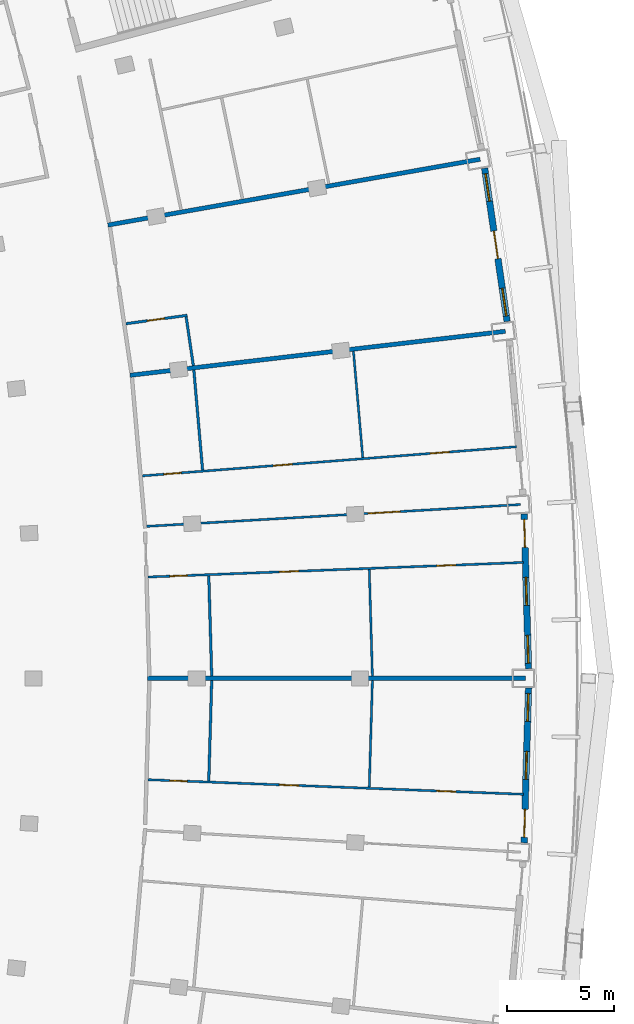
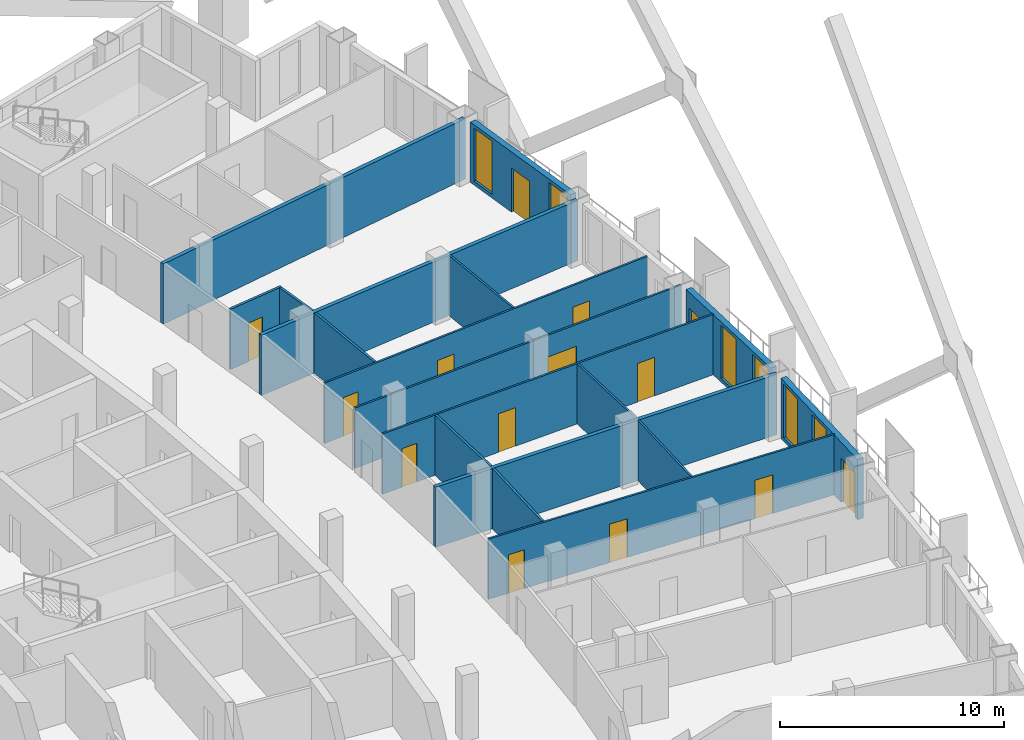
# One storey, part 14 of 20: 18 walls, 14 doors, 6 windows, 20 openings.
"""IFC4 building model written with IfcOpenShell, lengths in metres."""

from ifc_helpers import new_model, si_unit, direction, frame, frame_2d, origin, place, context, subcontext, project, spatial, rectangle, extrude, material, layer, layer_set, type_object, element, fill, save


model = new_model("IFC4")

# Units and contexts
model_context = context("Model", 3, precision=1e-05, world=origin(), true_north=direction((0.0, 1.0)))
body_context = subcontext(model_context, "Body", "Model", "MODEL_VIEW")
ifc_project = project(units=[si_unit("LENGTHUNIT", "METRE"), si_unit("AREAUNIT", "SQUARE_METRE"), si_unit("VOLUMEUNIT", "CUBIC_METRE"), si_unit("PLANEANGLEUNIT", "RADIAN"), si_unit("MASSUNIT", "GRAM", prefix="KILO")], contexts=[model_context])

# Site, building, storey
site_placement = place(None, origin())
site = spatial("IfcSite", under=ifc_project, at=site_placement, CompositionType="ELEMENT")
building_placement = place(site_placement, origin())
building = spatial("IfcBuilding", under=site, at=building_placement, Name="Alderwake Tower", CompositionType="ELEMENT")
storey_placement = place(building_placement, frame((0.0, 0.0, 189.199951171875)))
storey = spatial("IfcBuildingStorey", under=building, at=storey_placement, Name="L46", CompositionType="ELEMENT", Elevation=189.199951171875)

# Wall, openings, door, windows
ifc_material_1 = material(Name="Precast concrete C50/60 spandrel panel", Category="concrete")
ifc_layer_1 = layer(ifc_material_1, 0.300048828125)
ifc_layer_set_1 = layer_set([ifc_layer_1], Name="External wall EW1 Precast concrete C50/60 spandrel")
wall_type_1 = type_object("IfcWallType", Name="External wall EW1 Precast concrete C50/60 spandrel", PredefinedType="SOLIDWALL", material=ifc_layer_set_1)
wall_1_placement = place(storey_placement, frame((58.626708984375, 53.352294921875, 0.0), z_axis=(0.0, 0.0, 1.0), x_axis=(0.0291809358, 0.999574145817, 0.0)))
wall_1 = element("IfcWall", 1, at=wall_1_placement, inside=storey, type_object=wall_type_1, Name="External wall 15", PredefinedType="SOLIDWALL", context=body_context, shape_type="SweptSolid", body=[
    extrude(rectangle(XDim=7.20361328125, YDim=0.300048828125, at=frame_2d((3.601806640625, 0.0))), origin(), (0.0, 0.0, 1.0), 3.280029296875),
])
opening_1_placement = place(wall_1_placement, frame((0.257080078125, 0.0, 0.0)))
opening_1 = element("IfcOpeningElement", 2, at=opening_1_placement, cuts=wall_1, Name="Opening D04", PredefinedType="OPENING", context=body_context, shape_type="SweptSolid", body=[
    extrude(rectangle(XDim=1.300048828125, YDim=2.39990234375, at=frame_2d((0.64990234375, 1.199951171875))), frame((0.0, 0.159912109375, 0.0), z_axis=(0.0, -1.0, 0.0), x_axis=(1.0, 0.0, 0.0)), (0.0, 0.0, 1.0), 0.320068359375),
])
opening_2_placement = place(wall_1_placement, frame((2.951904296875, 0.0, 0.199951171875)))
opening_2 = element("IfcOpeningElement", 3, at=opening_2_placement, cuts=wall_1, Name="Opening W1", PredefinedType="OPENING", context=body_context, shape_type="SweptSolid", body=[
    extrude(rectangle(XDim=1.300048828125, YDim=2.89990234375, at=frame_2d((0.64990234375, 1.449951171875))), frame((0.0, 0.159912109375, 0.0), z_axis=(0.0, -1.0, 0.0), x_axis=(1.0, 0.0, 0.0)), (0.0, 0.0, 1.0), 0.320068359375),
])
opening_3_placement = place(wall_1_placement, frame((5.646484375, 0.0, 0.199951171875)))
opening_3 = element("IfcOpeningElement", 4, at=opening_3_placement, cuts=wall_1, Name="Opening W1", PredefinedType="OPENING", context=body_context, shape_type="SweptSolid", body=[
    extrude(rectangle(XDim=1.300048828125, YDim=2.89990234375, at=frame_2d((0.64990234375, 1.449951171875))), frame((0.0, 0.159912109375, 0.0), z_axis=(0.0, -1.0, 0.0), x_axis=(1.0, 0.0, 0.0)), (0.0, 0.0, 1.0), 0.320068359375),
])
ifc_material_2 = material(Name="Bronze tinted glass in aluminium frame", Category="aluminium")
door_type_1 = type_object("IfcDoorType", Name="Balcony door BD sliding", OperationType="SLIDING_TO_LEFT", PredefinedType="DOOR", material=ifc_material_2)
door_1_placement = place(opening_1_placement, origin())
door_1 = element("IfcDoor", 5, at=door_1_placement, inside=storey, type_object=door_type_1, Name="Door D04", OperationType="SLIDING_TO_LEFT", OverallHeight=2.39990234375, OverallWidth=1.300048828125, PredefinedType="DOOR", context=body_context, shape_type="SweptSolid", body=[
    extrude(rectangle(XDim=1.300048828125, YDim=2.39990234375, at=frame_2d((0.64990234375, 1.199951171875))), frame((0.0, 0.02490234375, 0.0), z_axis=(0.0, -1.0, 0.0), x_axis=(1.0, 0.0, 0.0)), (0.0, 0.0, 1.0), 0.050048828125),
])
fill(opening_1, door_1)
ifc_material_3 = material(Name="Bronze tinted glass in aluminium frame", Category="aluminium")
window_type = type_object("IfcWindowType", Name="Window W1 tall fixed and vent", PartitioningType="DOUBLE_PANEL_VERTICAL", PredefinedType="WINDOW", material=ifc_material_3)
window_1_placement = place(opening_2_placement, origin())
window_1 = element("IfcWindow", 6, at=window_1_placement, inside=storey, type_object=window_type, Name="Window W1 tall fixed and vent", OverallHeight=2.89990234375, OverallWidth=1.300048828125, PartitioningType="DOUBLE_PANEL_VERTICAL", PredefinedType="WINDOW", context=body_context, shape_type="SweptSolid", body=[
    extrude(rectangle(XDim=1.300048828125, YDim=2.89990234375, at=frame_2d((0.64990234375, 1.449951171875))), frame((0.0, 0.030029296875, 0.0), z_axis=(0.0, -1.0, 0.0), x_axis=(1.0, 0.0, 0.0)), (0.0, 0.0, 1.0), 0.06005859375),
])
fill(opening_2, window_1)
window_2_placement = place(opening_3_placement, origin())
window_2 = element("IfcWindow", 7, at=window_2_placement, inside=storey, type_object=window_type, Name="Window W1 tall fixed and vent", OverallHeight=2.89990234375, OverallWidth=1.300048828125, PartitioningType="DOUBLE_PANEL_VERTICAL", PredefinedType="WINDOW", context=body_context, shape_type="SweptSolid", body=[
    extrude(rectangle(XDim=1.300048828125, YDim=2.89990234375, at=frame_2d((0.64990234375, 1.449951171875))), frame((0.0, 0.030029296875, 0.0), z_axis=(0.0, -1.0, 0.0), x_axis=(1.0, 0.0, 0.0)), (0.0, 0.0, 1.0), 0.06005859375),
])
fill(opening_3, window_2)

wall_2_placement = place(storey_placement, frame((58.8369140625, 61.447265625, 0.0), z_axis=(0.0, 0.0, 1.0), x_axis=(-0.0291809358, 0.999574145817, 0.0)))
wall_2 = element("IfcWall", 8, at=wall_2_placement, inside=storey, type_object=wall_type_1, Name="External wall 16", PredefinedType="SOLIDWALL", context=body_context, shape_type="SweptSolid", body=[
    extrude(rectangle(XDim=7.20361328125, YDim=0.300048828125, at=frame_2d((3.601806640625, 0.0))), origin(), (0.0, 0.0, 1.0), 3.280029296875),
])
opening_4_placement = place(wall_2_placement, frame((0.257080078125, 0.0, 0.199951171875)))
opening_4 = element("IfcOpeningElement", 9, at=opening_4_placement, cuts=wall_2, Name="Opening W1", PredefinedType="OPENING", context=body_context, shape_type="SweptSolid", body=[
    extrude(rectangle(XDim=1.300048828125, YDim=2.89990234375, at=frame_2d((0.64990234375, 1.449951171875))), frame((0.0, 0.159912109375, 0.0), z_axis=(0.0, -1.0, 0.0), x_axis=(1.0, 0.0, 0.0)), (0.0, 0.0, 1.0), 0.320068359375),
])
opening_5_placement = place(wall_2_placement, frame((2.951904296875, 0.0, 0.199951171875)))
opening_5 = element("IfcOpeningElement", 10, at=opening_5_placement, cuts=wall_2, Name="Opening W1", PredefinedType="OPENING", context=body_context, shape_type="SweptSolid", body=[
    extrude(rectangle(XDim=1.300048828125, YDim=2.89990234375, at=frame_2d((0.64990234375, 1.449951171875))), frame((0.0, 0.159912109375, 0.0), z_axis=(0.0, -1.0, 0.0), x_axis=(1.0, 0.0, 0.0)), (0.0, 0.0, 1.0), 0.320068359375),
])
opening_6_placement = place(wall_2_placement, frame((5.646484375, 0.0, 0.0)))
opening_6 = element("IfcOpeningElement", 11, at=opening_6_placement, cuts=wall_2, Name="Opening D05", PredefinedType="OPENING", context=body_context, shape_type="SweptSolid", body=[
    extrude(rectangle(XDim=1.300048828125, YDim=2.39990234375, at=frame_2d((0.64990234375, 1.199951171875))), frame((0.0, 0.159912109375, 0.0), z_axis=(0.0, -1.0, 0.0), x_axis=(1.0, 0.0, 0.0)), (0.0, 0.0, 1.0), 0.320068359375),
])
door_2_placement = place(opening_6_placement, origin())
door_2 = element("IfcDoor", 12, at=door_2_placement, inside=storey, type_object=door_type_1, Name="Door D05", OperationType="SLIDING_TO_LEFT", OverallHeight=2.39990234375, OverallWidth=1.300048828125, PredefinedType="DOOR", context=body_context, shape_type="SweptSolid", body=[
    extrude(rectangle(XDim=1.300048828125, YDim=2.39990234375, at=frame_2d((0.64990234375, 1.199951171875))), frame((0.0, 0.02490234375, 0.0), z_axis=(0.0, -1.0, 0.0), x_axis=(1.0, 0.0, 0.0)), (0.0, 0.0, 1.0), 0.050048828125),
])
fill(opening_6, door_2)
window_3_placement = place(opening_4_placement, origin())
window_3 = element("IfcWindow", 13, at=window_3_placement, inside=storey, type_object=window_type, Name="Window W1 tall fixed and vent", OverallHeight=2.89990234375, OverallWidth=1.300048828125, PartitioningType="DOUBLE_PANEL_VERTICAL", PredefinedType="WINDOW", context=body_context, shape_type="SweptSolid", body=[
    extrude(rectangle(XDim=1.300048828125, YDim=2.89990234375, at=frame_2d((0.64990234375, 1.449951171875))), frame((0.0, 0.030029296875, 0.0), z_axis=(0.0, -1.0, 0.0), x_axis=(1.0, 0.0, 0.0)), (0.0, 0.0, 1.0), 0.06005859375),
])
fill(opening_4, window_3)
window_4_placement = place(opening_5_placement, origin())
window_4 = element("IfcWindow", 14, at=window_4_placement, inside=storey, type_object=window_type, Name="Window W1 tall fixed and vent", OverallHeight=2.89990234375, OverallWidth=1.300048828125, PartitioningType="DOUBLE_PANEL_VERTICAL", PredefinedType="WINDOW", context=body_context, shape_type="SweptSolid", body=[
    extrude(rectangle(XDim=1.300048828125, YDim=2.89990234375, at=frame_2d((0.64990234375, 1.449951171875))), frame((0.0, 0.030029296875, 0.0), z_axis=(0.0, -1.0, 0.0), x_axis=(1.0, 0.0, 0.0)), (0.0, 0.0, 1.0), 0.06005859375),
])
fill(opening_5, window_4)

wall_3_placement = place(storey_placement, frame((57.841064453125, 77.60498046875, 0.0), z_axis=(0.0, 0.0, 1.0), x_axis=(-0.145320319938, 0.98938465958, 0.0)))
wall_3 = element("IfcWall", 15, at=wall_3_placement, inside=storey, type_object=wall_type_1, Name="External wall 18", PredefinedType="SOLIDWALL", context=body_context, shape_type="SweptSolid", body=[
    extrude(rectangle(XDim=7.203857421875, YDim=0.300048828125, at=frame_2d((3.60205078125, 0.0))), origin(), (0.0, 0.0, 1.0), 3.280029296875),
])
opening_7_placement = place(wall_3_placement, frame((0.257080078125, 0.0, 0.199951171875)))
opening_7 = element("IfcOpeningElement", 16, at=opening_7_placement, cuts=wall_3, Name="Opening W1", PredefinedType="OPENING", context=body_context, shape_type="SweptSolid", body=[
    extrude(rectangle(XDim=1.300048828125, YDim=2.89990234375, at=frame_2d((0.64990234375, 1.449951171875))), frame((0.0, 0.159912109375, 0.0), z_axis=(0.0, -1.0, 0.0), x_axis=(1.0, 0.0, 0.0)), (0.0, 0.0, 1.0), 0.320068359375),
])
opening_8_placement = place(wall_3_placement, frame((2.951904296875, 0.0, 0.0)))
opening_8 = element("IfcOpeningElement", 17, at=opening_8_placement, cuts=wall_3, Name="Opening D07", PredefinedType="OPENING", context=body_context, shape_type="SweptSolid", body=[
    extrude(rectangle(XDim=1.300048828125, YDim=2.39990234375, at=frame_2d((0.64990234375, 1.199951171875))), frame((0.0, 0.159912109375, 0.0), z_axis=(0.0, -1.0, 0.0), x_axis=(1.0, 0.0, 0.0)), (0.0, 0.0, 1.0), 0.320068359375),
])
opening_9_placement = place(wall_3_placement, frame((5.646484375, 0.0, 0.199951171875)))
opening_9 = element("IfcOpeningElement", 18, at=opening_9_placement, cuts=wall_3, Name="Opening W1", PredefinedType="OPENING", context=body_context, shape_type="SweptSolid", body=[
    extrude(rectangle(XDim=1.300048828125, YDim=2.89990234375, at=frame_2d((0.64990234375, 1.449951171875))), frame((0.0, 0.159912109375, 0.0), z_axis=(0.0, -1.0, 0.0), x_axis=(1.0, 0.0, 0.0)), (0.0, 0.0, 1.0), 0.320068359375),
])
door_3_placement = place(opening_8_placement, origin())
door_3 = element("IfcDoor", 19, at=door_3_placement, inside=storey, type_object=door_type_1, Name="Door D07", OperationType="SLIDING_TO_LEFT", OverallHeight=2.39990234375, OverallWidth=1.300048828125, PredefinedType="DOOR", context=body_context, shape_type="SweptSolid", body=[
    extrude(rectangle(XDim=1.300048828125, YDim=2.39990234375, at=frame_2d((0.64990234375, 1.199951171875))), frame((0.0, 0.02490234375, 0.0), z_axis=(0.0, -1.0, 0.0), x_axis=(1.0, 0.0, 0.0)), (0.0, 0.0, 1.0), 0.050048828125),
])
fill(opening_8, door_3)
window_5_placement = place(opening_7_placement, origin())
window_5 = element("IfcWindow", 20, at=window_5_placement, inside=storey, type_object=window_type, Name="Window W1 tall fixed and vent", OverallHeight=2.89990234375, OverallWidth=1.300048828125, PartitioningType="DOUBLE_PANEL_VERTICAL", PredefinedType="WINDOW", context=body_context, shape_type="SweptSolid", body=[
    extrude(rectangle(XDim=1.300048828125, YDim=2.89990234375, at=frame_2d((0.64990234375, 1.449951171875))), frame((0.0, 0.030029296875, 0.0), z_axis=(0.0, -1.0, 0.0), x_axis=(1.0, 0.0, 0.0)), (0.0, 0.0, 1.0), 0.06005859375),
])
fill(opening_7, window_5)
window_6_placement = place(opening_9_placement, origin())
window_6 = element("IfcWindow", 21, at=window_6_placement, inside=storey, type_object=window_type, Name="Window W1 tall fixed and vent", OverallHeight=2.89990234375, OverallWidth=1.300048828125, PartitioningType="DOUBLE_PANEL_VERTICAL", PredefinedType="WINDOW", context=body_context, shape_type="SweptSolid", body=[
    extrude(rectangle(XDim=1.300048828125, YDim=2.89990234375, at=frame_2d((0.64990234375, 1.449951171875))), frame((0.0, 0.030029296875, 0.0), z_axis=(0.0, -1.0, 0.0), x_axis=(1.0, 0.0, 0.0)), (0.0, 0.0, 1.0), 0.06005859375),
])
fill(opening_9, window_6)

# Walls
ifc_material_4 = material(Name="Dense block masonry wall", Category="masonry")
ifc_layer_2 = layer(ifc_material_4, 0.199951171875)
ifc_layer_set_2 = layer_set([ifc_layer_2], Name="Party wall 200")
wall_type_2 = type_object("IfcWallType", Name="Party wall 200", PredefinedType="SOLIDWALL", material=ifc_layer_set_2)
wall_4_placement = place(storey_placement, frame((56.5830078125, 85.14892578125, 0.0), z_axis=(0.0, 0.0, 1.0), x_axis=(-0.984721150285, -0.174138611979, 0.0)))
element("IfcWall", 22, at=wall_4_placement, inside=storey, type_object=wall_type_2, Name="WL/L46/W01", PredefinedType="SOLIDWALL", context=body_context, shape_type="SweptSolid", body=[
    extrude(rectangle(XDim=17.582275390625, YDim=0.199951171875, at=frame_2d((8.791015625, 0.0))), origin(), (0.0, 0.0, 1.0), 3.280029296875),
])
wall_5_placement = place(storey_placement, frame((57.756103515625, 77.14501953125, 0.0), z_axis=(0.0, 0.0, 1.0), x_axis=(-0.99320038144, -0.116417362568, 0.0)))
element("IfcWall", 23, at=wall_5_placement, inside=storey, type_object=wall_type_2, Name="WL/L46/W02", PredefinedType="SOLIDWALL", context=body_context, shape_type="SweptSolid", body=[
    extrude(rectangle(XDim=17.578125, YDim=0.199951171875, at=frame_2d((8.7890625, 0.0))), origin(), (0.0, 0.0, 1.0), 3.280029296875),
])
wall_6_placement = place(storey_placement, frame((58.700927734375, 60.9990234375, 0.0), z_axis=(0.0, 0.0, 1.0), x_axis=(-1.0, 0.0, 0.0)))
element("IfcWall", 24, at=wall_6_placement, inside=storey, type_object=wall_type_2, Name="WL/L46/W03", PredefinedType="SOLIDWALL", context=body_context, shape_type="SweptSolid", body=[
    extrude(rectangle(XDim=17.58203125, YDim=0.199951171875, at=frame_2d((8.791015625, 0.0))), origin(), (0.0, 0.0, 1.0), 3.280029296875),
])

# Wall, openings, doors
ifc_material_5 = material(Name="Gypsum board on metal studs")
ifc_layer_3 = layer(ifc_material_5, 0.10009765625)
ifc_layer_set_3 = layer_set([ifc_layer_3], Name="Unit partition 100")
wall_type_3 = type_object("IfcWallType", Name="Unit partition 100", PredefinedType="PARTITIONING", material=ifc_layer_set_3)
wall_7_placement = place(storey_placement, frame((40.867919921875, 70.419189453125, 0.0), z_axis=(0.0, 0.0, 1.0), x_axis=(0.996981921396, 0.077634067331, 0.0)))
wall_7 = element("IfcWall", 25, at=wall_7_placement, inside=storey, type_object=wall_type_3, Name="WL/L46/W45", PredefinedType="PARTITIONING", context=body_context, shape_type="SweptSolid", body=[
    extrude(rectangle(XDim=17.462890625, YDim=0.10009765625, at=frame_2d((8.7314453125, 0.0))), origin(), (0.0, 0.0, 1.0), 3.280029296875),
])
opening_10_placement = place(wall_7_placement, frame((6.105712890625, 0.0, 0.0)))
opening_10 = element("IfcOpeningElement", 26, at=opening_10_placement, cuts=wall_7, Name="Opening R13-U05.5", PredefinedType="OPENING", context=body_context, shape_type="SweptSolid", body=[
    extrude(rectangle(XDim=0.89990234375, YDim=2.10009765625, at=frame_2d((0.449951171875, 1.050048828125))), frame((0.0, 0.06005859375, 0.0), z_axis=(0.0, -1.0, 0.0), x_axis=(1.0, 0.0, 0.0)), (0.0, 0.0, 1.0), 0.1201171875),
])
opening_11_placement = place(wall_7_placement, frame((1.009521484375, 0.0, 0.0)))
opening_11 = element("IfcOpeningElement", 27, at=opening_11_placement, cuts=wall_7, Name="Opening R13-U05.6", PredefinedType="OPENING", context=body_context, shape_type="SweptSolid", body=[
    extrude(rectangle(XDim=0.800048828125, YDim=2.10009765625, at=frame_2d((0.39990234375, 1.050048828125))), frame((0.0, 0.06005859375, 0.0), z_axis=(0.0, -1.0, 0.0), x_axis=(1.0, 0.0, 0.0)), (0.0, 0.0, 1.0), 0.1201171875),
])
opening_12_placement = place(wall_7_placement, frame((13.427490234375, 0.0, 0.0)))
opening_12 = element("IfcOpeningElement", 28, at=opening_12_placement, cuts=wall_7, Name="Opening R13-U05.7", PredefinedType="OPENING", context=body_context, shape_type="SweptSolid", body=[
    extrude(rectangle(XDim=0.89990234375, YDim=2.10009765625, at=frame_2d((0.449951171875, 1.050048828125))), frame((0.0, 0.06005859375, 0.0), z_axis=(0.0, -1.0, 0.0), x_axis=(1.0, 0.0, 0.0)), (0.0, 0.0, 1.0), 0.1201171875),
])
ifc_material_6 = material(Name="Painted timber leaf", Category="wood")
door_type_2 = type_object("IfcDoorType", Name="Bathroom door 800", OperationType="SINGLE_SWING_LEFT", PredefinedType="DOOR", material=ifc_material_6)
door_4_placement = place(opening_11_placement, origin())
door_4 = element("IfcDoor", 29, at=door_4_placement, inside=storey, type_object=door_type_2, Name="DR/L46/U05.6", OperationType="SINGLE_SWING_LEFT", OverallHeight=2.10009765625, OverallWidth=0.800048828125, PredefinedType="DOOR", context=body_context, shape_type="SweptSolid", body=[
    extrude(rectangle(XDim=0.800048828125, YDim=2.10009765625, at=frame_2d((0.39990234375, 1.050048828125))), frame((0.0, 0.02490234375, 0.0), z_axis=(0.0, -1.0, 0.0), x_axis=(1.0, 0.0, 0.0)), (0.0, 0.0, 1.0), 0.050048828125),
])
fill(opening_11, door_4)
ifc_material_7 = material(Name="Painted timber leaf", Category="wood")
door_type_3 = type_object("IfcDoorType", Name="Room door 900", OperationType="SINGLE_SWING_LEFT", PredefinedType="DOOR", material=ifc_material_7)
door_5_placement = place(opening_10_placement, origin())
door_5 = element("IfcDoor", 30, at=door_5_placement, inside=storey, type_object=door_type_3, Name="DR/L46/U05.5", OperationType="SINGLE_SWING_LEFT", OverallHeight=2.10009765625, OverallWidth=0.89990234375, PredefinedType="DOOR", context=body_context, shape_type="SweptSolid", body=[
    extrude(rectangle(XDim=0.89990234375, YDim=2.10009765625, at=frame_2d((0.449951171875, 1.050048828125))), frame((0.0, 0.02490234375, 0.0), z_axis=(0.0, -1.0, 0.0), x_axis=(1.0, 0.0, 0.0)), (0.0, 0.0, 1.0), 0.050048828125),
])
fill(opening_10, door_5)
door_6_placement = place(opening_12_placement, origin())
door_6 = element("IfcDoor", 31, at=door_6_placement, inside=storey, type_object=door_type_3, Name="DR/L46/U05.7", OperationType="SINGLE_SWING_LEFT", OverallHeight=2.10009765625, OverallWidth=0.89990234375, PredefinedType="DOOR", context=body_context, shape_type="SweptSolid", body=[
    extrude(rectangle(XDim=0.89990234375, YDim=2.10009765625, at=frame_2d((0.449951171875, 1.050048828125))), frame((0.0, 0.02490234375, 0.0), z_axis=(0.0, -1.0, 0.0), x_axis=(1.0, 0.0, 0.0)), (0.0, 0.0, 1.0), 0.050048828125),
])
fill(opening_12, door_6)

wall_8_placement = place(storey_placement, frame((41.143798828125, 56.285888671875, 0.0), z_axis=(0.0, 0.0, 1.0), x_axis=(0.999246022294, -0.038825081205, 0.0)))
wall_8 = element("IfcWall", 32, at=wall_8_placement, inside=storey, type_object=wall_type_3, Name="WL/L46/W46", PredefinedType="PARTITIONING", context=body_context, shape_type="SweptSolid", body=[
    extrude(rectangle(XDim=17.46240234375, YDim=0.10009765625, at=frame_2d((8.731201171875, 0.0))), origin(), (0.0, 0.0, 1.0), 3.280029296875),
])
opening_13_placement = place(wall_8_placement, frame((6.104248046875, 0.0, 0.0)))
opening_13 = element("IfcOpeningElement", 33, at=opening_13_placement, cuts=wall_8, Name="Opening R13-U04.5", PredefinedType="OPENING", context=body_context, shape_type="SweptSolid", body=[
    extrude(rectangle(XDim=0.89990234375, YDim=2.10009765625, at=frame_2d((0.449951171875, 1.050048828125))), frame((0.0, 0.06005859375, 0.0), z_axis=(0.0, -1.0, 0.0), x_axis=(1.0, 0.0, 0.0)), (0.0, 0.0, 1.0), 0.1201171875),
])
opening_14_placement = place(wall_8_placement, frame((1.0087890625, 0.0, 0.0)))
opening_14 = element("IfcOpeningElement", 34, at=opening_14_placement, cuts=wall_8, Name="Opening R13-U04.6", PredefinedType="OPENING", context=body_context, shape_type="SweptSolid", body=[
    extrude(rectangle(XDim=0.800048828125, YDim=2.10009765625, at=frame_2d((0.39990234375, 1.050048828125))), frame((0.0, 0.06005859375, 0.0), z_axis=(0.0, -1.0, 0.0), x_axis=(1.0, 0.0, 0.0)), (0.0, 0.0, 1.0), 0.1201171875),
])
opening_15_placement = place(wall_8_placement, frame((13.426025390625, 0.0, 0.0)))
opening_15 = element("IfcOpeningElement", 35, at=opening_15_placement, cuts=wall_8, Name="Opening R13-U04.7", PredefinedType="OPENING", context=body_context, shape_type="SweptSolid", body=[
    extrude(rectangle(XDim=0.89990234375, YDim=2.10009765625, at=frame_2d((0.449951171875, 1.050048828125))), frame((0.0, 0.06005859375, 0.0), z_axis=(0.0, -1.0, 0.0), x_axis=(1.0, 0.0, 0.0)), (0.0, 0.0, 1.0), 0.1201171875),
])
door_7_placement = place(opening_14_placement, origin())
door_7 = element("IfcDoor", 36, at=door_7_placement, inside=storey, type_object=door_type_2, Name="DR/L46/U04.6", OperationType="SINGLE_SWING_LEFT", OverallHeight=2.10009765625, OverallWidth=0.800048828125, PredefinedType="DOOR", context=body_context, shape_type="SweptSolid", body=[
    extrude(rectangle(XDim=0.800048828125, YDim=2.10009765625, at=frame_2d((0.39990234375, 1.050048828125))), frame((0.0, 0.02490234375, 0.0), z_axis=(0.0, -1.0, 0.0), x_axis=(1.0, 0.0, 0.0)), (0.0, 0.0, 1.0), 0.050048828125),
])
fill(opening_14, door_7)
door_8_placement = place(opening_13_placement, origin())
door_8 = element("IfcDoor", 37, at=door_8_placement, inside=storey, type_object=door_type_3, Name="DR/L46/U04.5", OperationType="SINGLE_SWING_LEFT", OverallHeight=2.10009765625, OverallWidth=0.89990234375, PredefinedType="DOOR", context=body_context, shape_type="SweptSolid", body=[
    extrude(rectangle(XDim=0.89990234375, YDim=2.10009765625, at=frame_2d((0.449951171875, 1.050048828125))), frame((0.0, 0.02490234375, 0.0), z_axis=(0.0, -1.0, 0.0), x_axis=(1.0, 0.0, 0.0)), (0.0, 0.0, 1.0), 0.050048828125),
])
fill(opening_13, door_8)
door_9_placement = place(opening_15_placement, origin())
door_9 = element("IfcDoor", 38, at=door_9_placement, inside=storey, type_object=door_type_3, Name="DR/L46/U04.7", OperationType="SINGLE_SWING_LEFT", OverallHeight=2.10009765625, OverallWidth=0.89990234375, PredefinedType="DOOR", context=body_context, shape_type="SweptSolid", body=[
    extrude(rectangle(XDim=0.89990234375, YDim=2.10009765625, at=frame_2d((0.449951171875, 1.050048828125))), frame((0.0, 0.02490234375, 0.0), z_axis=(0.0, -1.0, 0.0), x_axis=(1.0, 0.0, 0.0)), (0.0, 0.0, 1.0), 0.050048828125),
])
fill(opening_15, door_9)

wall_9_placement = place(storey_placement, frame((58.593017578125, 66.39306640625, 0.0), z_axis=(0.0, 0.0, 1.0), x_axis=(-0.999246022294, -0.038825081205, 0.0)))
wall_9 = element("IfcWall", 39, at=wall_9_placement, inside=storey, type_object=wall_type_3, Name="WL/L46/W47", PredefinedType="PARTITIONING", context=body_context, shape_type="SweptSolid", body=[
    extrude(rectangle(XDim=17.46240234375, YDim=0.10009765625, at=frame_2d((8.731201171875, 0.0))), origin(), (0.0, 0.0, 1.0), 3.280029296875),
])
opening_16_placement = place(wall_9_placement, frame((10.4580078125, 0.0, 0.0)))
opening_16 = element("IfcOpeningElement", 40, at=opening_16_placement, cuts=wall_9, Name="Opening R13-U05.1", PredefinedType="OPENING", context=body_context, shape_type="SweptSolid", body=[
    extrude(rectangle(XDim=0.89990234375, YDim=2.10009765625, at=frame_2d((0.449951171875, 1.050048828125))), frame((0.0, 0.06005859375, 0.0), z_axis=(0.0, -1.0, 0.0), x_axis=(1.0, 0.0, 0.0)), (0.0, 0.0, 1.0), 0.1201171875),
])
opening_17_placement = place(wall_9_placement, frame((15.653564453125, 0.0, 0.0)))
opening_17 = element("IfcOpeningElement", 41, at=opening_17_placement, cuts=wall_9, Name="Opening R13-U05.3", PredefinedType="OPENING", context=body_context, shape_type="SweptSolid", body=[
    extrude(rectangle(XDim=0.800048828125, YDim=2.10009765625, at=frame_2d((0.39990234375, 1.050048828125))), frame((0.0, 0.06005859375, 0.0), z_axis=(0.0, -1.0, 0.0), x_axis=(1.0, 0.0, 0.0)), (0.0, 0.0, 1.0), 0.1201171875),
])
opening_18_placement = place(wall_9_placement, frame((3.13623046875, 0.0, 0.0)))
opening_18 = element("IfcOpeningElement", 42, at=opening_18_placement, cuts=wall_9, Name="Opening R13-U05.4", PredefinedType="OPENING", context=body_context, shape_type="SweptSolid", body=[
    extrude(rectangle(XDim=0.89990234375, YDim=2.10009765625, at=frame_2d((0.449951171875, 1.050048828125))), frame((0.0, 0.06005859375, 0.0), z_axis=(0.0, -1.0, 0.0), x_axis=(1.0, 0.0, 0.0)), (0.0, 0.0, 1.0), 0.1201171875),
])
door_10_placement = place(opening_17_placement, origin())
door_10 = element("IfcDoor", 43, at=door_10_placement, inside=storey, type_object=door_type_2, Name="DR/L46/U05.3", OperationType="SINGLE_SWING_LEFT", OverallHeight=2.10009765625, OverallWidth=0.800048828125, PredefinedType="DOOR", context=body_context, shape_type="SweptSolid", body=[
    extrude(rectangle(XDim=0.800048828125, YDim=2.10009765625, at=frame_2d((0.39990234375, 1.050048828125))), frame((0.0, 0.02490234375, 0.0), z_axis=(0.0, -1.0, 0.0), x_axis=(1.0, 0.0, 0.0)), (0.0, 0.0, 1.0), 0.050048828125),
])
fill(opening_17, door_10)
door_11_placement = place(opening_16_placement, origin())
door_11 = element("IfcDoor", 44, at=door_11_placement, inside=storey, type_object=door_type_3, Name="DR/L46/U05.1", OperationType="SINGLE_SWING_LEFT", OverallHeight=2.10009765625, OverallWidth=0.89990234375, PredefinedType="DOOR", context=body_context, shape_type="SweptSolid", body=[
    extrude(rectangle(XDim=0.89990234375, YDim=2.10009765625, at=frame_2d((0.449951171875, 1.050048828125))), frame((0.0, 0.02490234375, 0.0), z_axis=(0.0, -1.0, 0.0), x_axis=(1.0, 0.0, 0.0)), (0.0, 0.0, 1.0), 0.050048828125),
])
fill(opening_16, door_11)
door_12_placement = place(opening_18_placement, origin())
door_12 = element("IfcDoor", 45, at=door_12_placement, inside=storey, type_object=door_type_3, Name="DR/L46/U05.4", OperationType="SINGLE_SWING_LEFT", OverallHeight=2.10009765625, OverallWidth=0.89990234375, PredefinedType="DOOR", context=body_context, shape_type="SweptSolid", body=[
    extrude(rectangle(XDim=0.89990234375, YDim=2.10009765625, at=frame_2d((0.449951171875, 1.050048828125))), frame((0.0, 0.02490234375, 0.0), z_axis=(0.0, -1.0, 0.0), x_axis=(1.0, 0.0, 0.0)), (0.0, 0.0, 1.0), 0.050048828125),
])
fill(opening_18, door_12)

# Walls
wall_10_placement = place(storey_placement, frame((51.12451171875, 71.269775390625, 0.0), z_axis=(0.0, 0.0, 1.0), x_axis=(-0.087352937881, 0.996177426086, 0.0)))
element("IfcWall", 46, at=wall_10_placement, inside=storey, type_object=wall_type_3, Name="WL/L46/W52", PredefinedType="PARTITIONING", context=body_context, shape_type="SweptSolid", body=[
    extrude(rectangle(XDim=4.966552734375, YDim=0.10009765625, at=frame_2d((2.4833984375, 0.0))), origin(), (0.0, 0.0, 1.0), 3.280029296875),
])
wall_11_placement = place(storey_placement, frame((51.427490234375, 55.93701171875, 0.0), z_axis=(0.0, 0.0, 1.0), x_axis=(0.029312335146, 0.999570301184, 0.0)))
element("IfcWall", 47, at=wall_11_placement, inside=storey, type_object=wall_type_3, Name="WL/L46/W53", PredefinedType="PARTITIONING", context=body_context, shape_type="SweptSolid", body=[
    extrude(rectangle(XDim=4.964111328125, YDim=0.10009765625, at=frame_2d((2.48193359375, 0.0))), origin(), (0.0, 0.0, 1.0), 3.280029296875),
])
wall_12_placement = place(storey_placement, frame((51.572998046875, 61.09912109375, 0.0), z_axis=(0.0, 0.0, 1.0), x_axis=(-0.02929505318, 0.999570807827, 0.0)))
element("IfcWall", 48, at=wall_12_placement, inside=storey, type_object=wall_type_3, Name="WL/L46/W54", PredefinedType="PARTITIONING", context=body_context, shape_type="SweptSolid", body=[
    extrude(rectangle(XDim=4.967041015625, YDim=0.10009765625, at=frame_2d((2.4833984375, 0.0))), origin(), (0.0, 0.0, 1.0), 3.280029296875),
])

# Wall, opening, door
wall_13_placement = place(storey_placement, frame((41.074951171875, 68.07177734375, 0.0), z_axis=(0.0, 0.0, 1.0), x_axis=(0.998300373254, 0.058278338696, 0.0)))
wall_13 = element("IfcWall", 49, at=wall_13_placement, inside=storey, type_object=wall_type_3, Name="WL/L46/W56", PredefinedType="PARTITIONING", context=body_context, shape_type="SweptSolid", body=[
    extrude(rectangle(XDim=17.418701171875, YDim=0.10009765625, at=frame_2d((8.70947265625, 0.0))), origin(), (0.0, 0.0, 1.0), 3.280029296875),
])
opening_19_placement = place(wall_13_placement, frame((10.311279296875, 0.0, 0.0)))
opening_19 = element("IfcOpeningElement", 50, at=opening_19_placement, cuts=wall_13, Name="Opening R13-U05.8", PredefinedType="OPENING", context=body_context, shape_type="SweptSolid", body=[
    extrude(rectangle(XDim=1.5, YDim=2.10009765625, at=frame_2d((0.75, 1.050048828125))), frame((0.0, 0.06005859375, 0.0), z_axis=(0.0, -1.0, 0.0), x_axis=(1.0, 0.0, 0.0)), (0.0, 0.0, 1.0), 0.1201171875),
])
ifc_material_8 = material(Name="Painted timber leaves", Category="wood")
door_type_4 = type_object("IfcDoorType", Name="Double leaf door 1500", OperationType="DOUBLE_DOOR_SINGLE_SWING", PredefinedType="DOOR", material=ifc_material_8)
door_13_placement = place(opening_19_placement, origin())
door_13 = element("IfcDoor", 51, at=door_13_placement, inside=storey, type_object=door_type_4, Name="DR/L46/U05.8", OperationType="DOUBLE_DOOR_SINGLE_SWING", OverallHeight=2.10009765625, OverallWidth=1.5, PredefinedType="DOOR", context=body_context, shape_type="SweptSolid", body=[
    extrude(rectangle(XDim=1.5, YDim=2.10009765625, at=frame_2d((0.75, 1.050048828125))), frame((0.0, 0.02490234375, 0.0), z_axis=(0.0, -1.0, 0.0), x_axis=(1.0, 0.0, 0.0)), (0.0, 0.0, 1.0), 0.050048828125),
])
fill(opening_19, door_13)

ifc_material_9 = material(Name="Moisture resistant gypsum board on metal studs")
ifc_layer_4 = layer(ifc_material_9, 0.1201171875)
ifc_layer_set_4 = layer_set([ifc_layer_4], Name="Wet room partition 120")
wall_type_4 = type_object("IfcWallType", Name="Wet room partition 120", PredefinedType="PARTITIONING", material=ifc_layer_set_4)
wall_14_placement = place(storey_placement, frame((42.95947265625, 77.88818359375, 0.0), z_axis=(0.0, 0.0, 1.0), x_axis=(-0.99077593985, -0.135510283793, 0.0)))
wall_14 = element("IfcWall", 52, at=wall_14_placement, inside=storey, type_object=wall_type_4, Name="WL/L46/W36", PredefinedType="PARTITIONING", context=body_context, shape_type="SweptSolid", body=[
    extrude(rectangle(XDim=2.880859375, YDim=0.1201171875, at=frame_2d((1.4404296875, 0.0))), origin(), (0.0, 0.0, 1.0), 3.280029296875),
])
opening_20_placement = place(wall_14_placement, frame((1.071044921875, 0.0, 0.0)))
opening_20 = element("IfcOpeningElement", 53, at=opening_20_placement, cuts=wall_14, Name="Opening R13-U06.2", PredefinedType="OPENING", context=body_context, shape_type="SweptSolid", body=[
    extrude(rectangle(XDim=0.800048828125, YDim=2.10009765625, at=frame_2d((0.39990234375, 1.050048828125))), frame((0.0, 0.070068359375, 0.0), z_axis=(0.0, -1.0, 0.0), x_axis=(1.0, 0.0, 0.0)), (0.0, 0.0, 1.0), 0.14013671875),
])
door_14_placement = place(opening_20_placement, origin())
door_14 = element("IfcDoor", 54, at=door_14_placement, inside=storey, type_object=door_type_2, Name="DR/L46/U06.2", OperationType="SINGLE_SWING_LEFT", OverallHeight=2.10009765625, OverallWidth=0.800048828125, PredefinedType="DOOR", context=body_context, shape_type="SweptSolid", body=[
    extrude(rectangle(XDim=0.800048828125, YDim=2.10009765625, at=frame_2d((0.39990234375, 1.050048828125))), frame((0.0, 0.02490234375, 0.0), z_axis=(0.0, -1.0, 0.0), x_axis=(1.0, 0.0, 0.0)), (0.0, 0.0, 1.0), 0.050048828125),
])
fill(opening_20, door_14)

# Walls
wall_15_placement = place(storey_placement, frame((43.242431640625, 75.5458984375, 0.0), z_axis=(0.0, 0.0, 1.0), x_axis=(-0.145166859028, 0.989407187684, 0.0)))
element("IfcWall", 55, at=wall_15_placement, inside=storey, type_object=wall_type_4, Name="WL/L46/W38", PredefinedType="PARTITIONING", context=body_context, shape_type="SweptSolid", body=[
    extrude(rectangle(XDim=2.299072265625, YDim=0.1201171875, at=frame_2d((1.1494140625, 0.0))), origin(), (0.0, 0.0, 1.0), 3.280029296875),
])
wall_16_placement = place(storey_placement, frame((43.672607421875, 70.687744140625, 0.0), z_axis=(0.0, 0.0, 1.0), x_axis=(-0.087010256841, 0.996207415755, 0.0)))
element("IfcWall", 56, at=wall_16_placement, inside=storey, type_object=wall_type_4, Name="WL/L46/W39", PredefinedType="PARTITIONING", context=body_context, shape_type="SweptSolid", body=[
    extrude(rectangle(XDim=4.677490234375, YDim=0.1201171875, at=frame_2d((2.3388671875, 0.0))), origin(), (0.0, 0.0, 1.0), 3.280029296875),
])
wall_17_placement = place(storey_placement, frame((43.96044921875, 56.22802734375, 0.0), z_axis=(0.0, 0.0, 1.0), x_axis=(0.029257801765, 0.999571898883, 0.0)))
element("IfcWall", 57, at=wall_17_placement, inside=storey, type_object=wall_type_4, Name="WL/L46/W40", PredefinedType="PARTITIONING", context=body_context, shape_type="SweptSolid", body=[
    extrude(rectangle(XDim=4.6728515625, YDim=0.1201171875, at=frame_2d((2.33642578125, 0.0))), origin(), (0.0, 0.0, 1.0), 3.280029296875),
])
wall_18_placement = place(storey_placement, frame((44.09716796875, 61.09912109375, 0.0), z_axis=(0.0, 0.0, 1.0), x_axis=(-0.029239477833, 0.999572435062, 0.0)))
element("IfcWall", 58, at=wall_18_placement, inside=storey, type_object=wall_type_4, Name="WL/L46/W41", PredefinedType="PARTITIONING", context=body_context, shape_type="SweptSolid", body=[
    extrude(rectangle(XDim=4.67578125, YDim=0.1201171875, at=frame_2d((2.337890625, 0.0))), origin(), (0.0, 0.0, 1.0), 3.280029296875),
])

save(model, "model.ifc")
